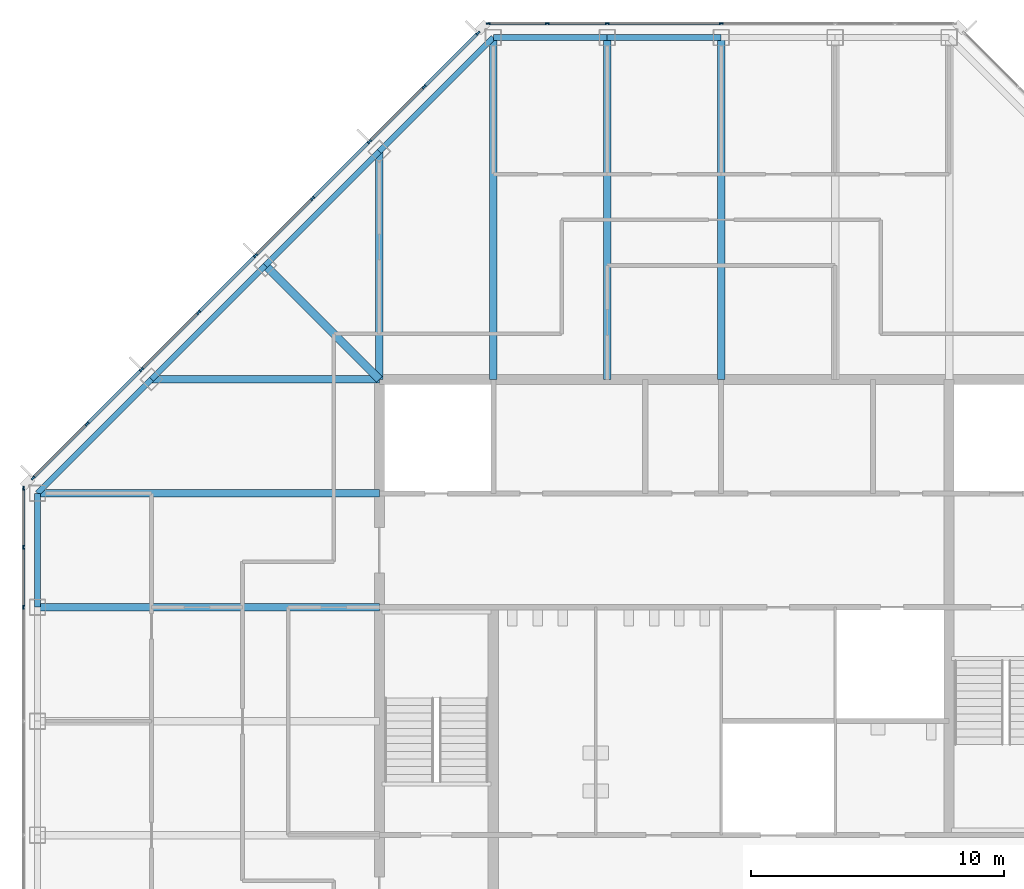
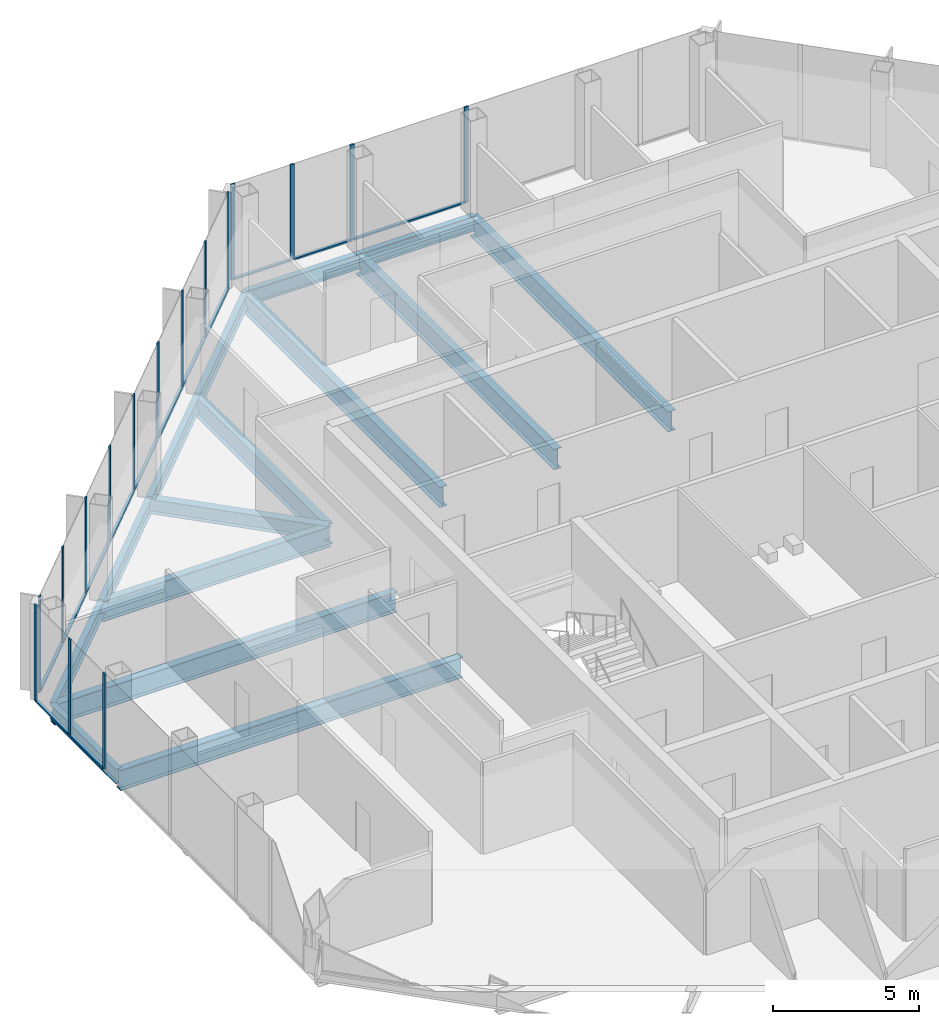
# One storey, part 6 of 14: 29 members, 15 beams, 3 elements without a shape of their own.
"""IFC4 building model written with IfcOpenShell, lengths in metres."""

from ifc_helpers import new_model, si_unit, direction, frame, origin, origin_2d, place, context, subcontext, project, spatial, rectangle, i_section, extrude, material, material_profile, profile_set, type_object, element, aggregate, save


model = new_model("IFC4")

# Units and contexts
model_context = context("Model", 3, precision=1e-05, world=origin(), true_north=direction((0.0, 1.0)))
body_context = subcontext(model_context, "Body", "Model", "MODEL_VIEW")
ifc_project = project(units=[si_unit("LENGTHUNIT", "METRE"), si_unit("AREAUNIT", "SQUARE_METRE"), si_unit("VOLUMEUNIT", "CUBIC_METRE"), si_unit("PLANEANGLEUNIT", "RADIAN"), si_unit("MASSUNIT", "GRAM", prefix="KILO")], contexts=[model_context])

# Site, building, storey
site_placement = place(None, origin())
site = spatial("IfcSite", under=ifc_project, at=site_placement, CompositionType="ELEMENT")
building_placement = place(site_placement, origin())
building = spatial("IfcBuilding", under=site, at=building_placement, Name="Corais Broadcast Tower", CompositionType="ELEMENT")
storey_placement = place(building_placement, frame((0.0, 0.0, 214.60009765625)))
storey = spatial("IfcBuildingStorey", under=building, at=storey_placement, Name="L49", CompositionType="ELEMENT", Elevation=214.60009765625)

# Beams
ifc_material_1 = material(Name="Steel ASTM A572 Grade 50", Category="steel")
ifc_material_profile_1 = material_profile(ifc_material_1, i_section(OverallWidth=0.323974609375, OverallDepth=0.611083984375, WebThickness=0.0126953125, FlangeThickness=0.01904296875, at=origin_2d()), Name="W610x155")
ifc_profile_set_1 = profile_set([ifc_material_profile_1], Name="Steel ASTM A572 Grade 50")
beam_type_1 = type_object("IfcBeamType", Name="Corner diagonal W610x155", PredefinedType="BEAM", material=ifc_profile_set_1)
beam_1_placement = place(storey_placement, frame((9.0, 45.0, -0.465576171875), z_axis=(0.707106781187, -0.707106781187, 0.0), x_axis=(0.707106781187, 0.707106781187, 0.0)))
element("IfcBeam", 1, at=beam_1_placement, inside=storey, type_object=beam_type_1, Name="B6 L/5 to K/6", PredefinedType="BEAM", context=body_context, shape_type="SweptSolid", body=[
    extrude(i_section(OverallWidth=0.323974609375, OverallDepth=0.611083984375, WebThickness=0.0126953125, FlangeThickness=0.01904296875, at=origin_2d()), origin(), (0.0, 0.0, 1.0), 6.364013671875),
])
ifc_material_2 = material(Name="Steel ASTM A572 Grade 50", Category="steel")
ifc_material_profile_2 = material_profile(ifc_material_2, i_section(OverallWidth=0.2939453125, OverallDepth=0.85107421875, WebThickness=0.01611328125, FlangeThickness=0.02685546875, at=origin_2d()), Name="W840x226")
ifc_profile_set_2 = profile_set([ifc_material_profile_2], Name="Steel ASTM A572 Grade 50")
beam_type_2 = type_object("IfcBeamType", Name="Floor beam W840x226", PredefinedType="BEAM", material=ifc_profile_set_2)
for number, where, z_axis, x_axis, name in (
    (2, (0.0, 31.5, -0.585693359375), (1.0, 0.0, 0.0), (0.0, 1.0, 0.0), "B1 H/3 to H/6"),
    (3, (0.0, 36.0, -0.585693359375), (1.0, 0.0, 0.0), (0.0, 1.0, 0.0), "B1 J/3 to J/6"),
):
    element("IfcBeam", number, at=place(storey_placement, frame(where, z_axis=z_axis, x_axis=x_axis)), inside=storey, type_object=beam_type_2, Name=name, PredefinedType="BEAM", context=body_context, shape_type="SweptSolid", body=[
        extrude(i_section(OverallWidth=0.2939453125, OverallDepth=0.85107421875, WebThickness=0.01611328125, FlangeThickness=0.02685546875, at=origin_2d()), origin(), (0.0, 0.0, 1.0), 13.5),
    ])
beam_2_placement = place(storey_placement, frame((13.5, 49.5, -0.585693359375), z_axis=(0.0, -1.0, 0.0), x_axis=(1.0, 0.0, 0.0)))
element("IfcBeam", 4, at=beam_2_placement, inside=storey, type_object=beam_type_2, Name="B1 M/6 to K/6", PredefinedType="BEAM", context=body_context, shape_type="SweptSolid", body=[
    extrude(i_section(OverallWidth=0.2939453125, OverallDepth=0.85107421875, WebThickness=0.01611328125, FlangeThickness=0.02685546875, at=origin_2d()), origin(), (0.0, 0.0, 1.0), 9.0),
])
for number, where, z_axis, x_axis, name in (
    (5, (18.0, 54.0, -0.585693359375), (0.0, -1.0, 0.0), (1.0, 0.0, 0.0), "B1 N/7 to K/7"),
    (6, (22.5, 54.0, -0.585693359375), (0.0, -1.0, 0.0), (1.0, 0.0, 0.0), "B1 N/8 to K/8"),
    (7, (27.0, 54.0, -0.585693359375), (0.0, -1.0, 0.0), (1.0, 0.0, 0.0), "B1 N/9 to K/9"),
):
    element("IfcBeam", number, at=place(storey_placement, frame(where, z_axis=z_axis, x_axis=x_axis)), inside=storey, type_object=beam_type_2, Name=name, PredefinedType="BEAM", context=body_context, shape_type="SweptSolid", body=[
        extrude(i_section(OverallWidth=0.2939453125, OverallDepth=0.85107421875, WebThickness=0.01611328125, FlangeThickness=0.02685546875, at=origin_2d()), origin(), (0.0, 0.0, 1.0), 13.5),
    ])
beam_3_placement = place(storey_placement, frame((4.5, 40.5, -0.585693359375), z_axis=(1.0, 0.0, 0.0), x_axis=(0.0, 1.0, 0.0)))
element("IfcBeam", 8, at=beam_3_placement, inside=storey, type_object=beam_type_2, Name="B1 K/4 to K/6", PredefinedType="BEAM", context=body_context, shape_type="SweptSolid", body=[
    extrude(i_section(OverallWidth=0.2939453125, OverallDepth=0.85107421875, WebThickness=0.01611328125, FlangeThickness=0.02685546875, at=origin_2d()), origin(), (0.0, 0.0, 1.0), 9.0),
])

# Curtain wall, members
ifc_material_3 = material(Name="Aluminium and glass", Category="aluminium")
curtain_wall_type = type_object("IfcCurtainWallType", Name="Unitised fritted curtain wall CW3", PredefinedType="NOTDEFINED", material=ifc_material_3)
curtain_wall_1_placement = place(storey_placement, origin())
curtain_wall_1 = element("IfcCurtainWall", 9, at=curtain_wall_1_placement, inside=storey, type_object=curtain_wall_type, Name="CW3 curtain wall L49 2", PredefinedType="NOTDEFINED")
ifc_material_4 = material(Name="Aluminium 6063-T6", Category="aluminium")
ifc_material_profile_3 = material_profile(ifc_material_4, rectangle(XDim=0.06494140625, YDim=0.159912109375, at=origin_2d()), Name="Mullion CW3 65x160")
ifc_profile_set_3 = profile_set([ifc_material_profile_3], Name="Aluminium 6063-T6")
member_type_1 = type_object("IfcMemberType", Name="Mullion CW3 65x160", PredefinedType="MULLION", material=ifc_profile_set_3)
member_1_placement = place(storey_placement, frame((-0.550048828125, 31.5, 0.0), z_axis=(0.0, 0.0, 1.0), x_axis=(-1.0, 0.0, 0.0)))
member_1 = element("IfcMember", 10, at=member_1_placement, type_object=member_type_1, Name="CW3 mullion 5", PredefinedType="MULLION", context=body_context, shape_type="SweptSolid", body=[
    extrude(rectangle(XDim=0.06494140625, YDim=0.159912109375, at=origin_2d()), origin(), (0.0, 0.0, 1.0), 4.0),
])
member_2_placement = place(storey_placement, frame((-0.550048828125, 33.864013671875, 0.0), z_axis=(0.0, 0.0, 1.0), x_axis=(-1.0, 0.0, 0.0)))
member_2 = element("IfcMember", 11, at=member_2_placement, type_object=member_type_1, Name="CW3 mullion 6", PredefinedType="MULLION", context=body_context, shape_type="SweptSolid", body=[
    extrude(rectangle(XDim=0.06494140625, YDim=0.159912109375, at=origin_2d()), origin(), (0.0, 0.0, 1.0), 4.0),
])
member_3_placement = place(storey_placement, frame((-0.550048828125, 36.1953125, 0.0), z_axis=(0.0, 0.0, 1.0), x_axis=(-1.0, 0.0, 0.0)))
member_3 = element("IfcMember", 12, at=member_3_placement, type_object=member_type_1, Name="CW3 mullion 7", PredefinedType="MULLION", context=body_context, shape_type="SweptSolid", body=[
    extrude(rectangle(XDim=0.06494140625, YDim=0.159912109375, at=origin_2d()), origin(), (0.0, 0.0, 1.0), 4.0),
])

curtain_wall_2_placement = place(storey_placement, origin())
curtain_wall_2 = element("IfcCurtainWall", 13, at=curtain_wall_2_placement, inside=storey, type_object=curtain_wall_type, Name="CW3 curtain wall L49 3", PredefinedType="NOTDEFINED")
member_4_placement = place(storey_placement, frame((-0.17333984375, 36.6044921875, 0.0), z_axis=(0.0, 0.0, 1.0), x_axis=(-0.707106781187, 0.707106781187, 0.0)))
member_4 = element("IfcMember", 14, at=member_4_placement, type_object=member_type_1, Name="CW3 mullion 1", PredefinedType="MULLION", context=body_context, shape_type="SweptSolid", body=[
    extrude(rectangle(XDim=0.06494140625, YDim=0.159912109375, at=origin_2d()), origin(), (0.0, 0.0, 1.0), 4.0),
])
member_5_placement = place(storey_placement, frame((1.957275390625, 38.735107421875, 0.0), z_axis=(0.0, 0.0, 1.0), x_axis=(-0.707106781187, 0.707106781187, 0.0)))
member_5 = element("IfcMember", 15, at=member_5_placement, type_object=member_type_1, Name="CW3 mullion 2", PredefinedType="MULLION", context=body_context, shape_type="SweptSolid", body=[
    extrude(rectangle(XDim=0.06494140625, YDim=0.159912109375, at=origin_2d()), origin(), (0.0, 0.0, 1.0), 4.0),
])
member_6_placement = place(storey_placement, frame((4.111083984375, 40.888916015625, 0.0), z_axis=(0.0, 0.0, 1.0), x_axis=(-0.707106781187, 0.707106781187, 0.0)))
member_6 = element("IfcMember", 16, at=member_6_placement, type_object=member_type_1, Name="CW3 mullion 3", PredefinedType="MULLION", context=body_context, shape_type="SweptSolid", body=[
    extrude(rectangle(XDim=0.06494140625, YDim=0.159912109375, at=origin_2d()), origin(), (0.0, 0.0, 1.0), 4.0),
])
member_7_placement = place(storey_placement, frame((6.361083984375, 43.138916015625, 0.0), z_axis=(0.0, 0.0, 1.0), x_axis=(-0.707106781187, 0.707106781187, 0.0)))
member_7 = element("IfcMember", 17, at=member_7_placement, type_object=member_type_1, Name="CW3 mullion 4", PredefinedType="MULLION", context=body_context, shape_type="SweptSolid", body=[
    extrude(rectangle(XDim=0.06494140625, YDim=0.159912109375, at=origin_2d()), origin(), (0.0, 0.0, 1.0), 4.0),
])
member_8_placement = place(storey_placement, frame((8.611083984375, 45.388916015625, 0.0), z_axis=(0.0, 0.0, 1.0), x_axis=(-0.707106781187, 0.707106781187, 0.0)))
member_8 = element("IfcMember", 18, at=member_8_placement, type_object=member_type_1, Name="CW3 mullion 5", PredefinedType="MULLION", context=body_context, shape_type="SweptSolid", body=[
    extrude(rectangle(XDim=0.06494140625, YDim=0.159912109375, at=origin_2d()), origin(), (0.0, 0.0, 1.0), 4.0),
])
member_9_placement = place(storey_placement, frame((10.861083984375, 47.638916015625, 0.0), z_axis=(0.0, 0.0, 1.0), x_axis=(-0.707106781187, 0.707106781187, 0.0)))
member_9 = element("IfcMember", 19, at=member_9_placement, type_object=member_type_1, Name="CW3 mullion 6", PredefinedType="MULLION", context=body_context, shape_type="SweptSolid", body=[
    extrude(rectangle(XDim=0.06494140625, YDim=0.159912109375, at=origin_2d()), origin(), (0.0, 0.0, 1.0), 4.0),
])
member_10_placement = place(storey_placement, frame((13.111083984375, 49.888916015625, 0.0), z_axis=(0.0, 0.0, 1.0), x_axis=(-0.707106781187, 0.707106781187, 0.0)))
member_10 = element("IfcMember", 20, at=member_10_placement, type_object=member_type_1, Name="CW3 mullion 7", PredefinedType="MULLION", context=body_context, shape_type="SweptSolid", body=[
    extrude(rectangle(XDim=0.06494140625, YDim=0.159912109375, at=origin_2d()), origin(), (0.0, 0.0, 1.0), 4.0),
])
member_11_placement = place(storey_placement, frame((15.264892578125, 52.042724609375, 0.0), z_axis=(0.0, 0.0, 1.0), x_axis=(-0.707106781187, 0.707106781187, 0.0)))
member_11 = element("IfcMember", 21, at=member_11_placement, type_object=member_type_1, Name="CW3 mullion 8", PredefinedType="MULLION", context=body_context, shape_type="SweptSolid", body=[
    extrude(rectangle(XDim=0.06494140625, YDim=0.159912109375, at=origin_2d()), origin(), (0.0, 0.0, 1.0), 4.0),
])
member_12_placement = place(storey_placement, frame((17.3955078125, 54.17333984375, 0.0), z_axis=(0.0, 0.0, 1.0), x_axis=(-0.707106781187, 0.707106781187, 0.0)))
member_12 = element("IfcMember", 22, at=member_12_placement, type_object=member_type_1, Name="CW3 mullion 9", PredefinedType="MULLION", context=body_context, shape_type="SweptSolid", body=[
    extrude(rectangle(XDim=0.06494140625, YDim=0.159912109375, at=origin_2d()), origin(), (0.0, 0.0, 1.0), 4.0),
])

curtain_wall_3_placement = place(storey_placement, origin())
curtain_wall_3 = element("IfcCurtainWall", 23, at=curtain_wall_3_placement, inside=storey, type_object=curtain_wall_type, Name="CW3 curtain wall L49 4", PredefinedType="NOTDEFINED")
member_13_placement = place(storey_placement, frame((17.8046875, 54.550048828125, 0.0), z_axis=(0.0, 0.0, 1.0), x_axis=(0.0, 1.0, 0.0)))
member_13 = element("IfcMember", 24, at=member_13_placement, type_object=member_type_1, Name="CW3 mullion 1", PredefinedType="MULLION", context=body_context, shape_type="SweptSolid", body=[
    extrude(rectangle(XDim=0.06494140625, YDim=0.159912109375, at=origin_2d()), origin(), (0.0, 0.0, 1.0), 4.0),
])
member_14_placement = place(storey_placement, frame((20.135986328125, 54.550048828125, 0.0), z_axis=(0.0, 0.0, 1.0), x_axis=(0.0, 1.0, 0.0)))
member_14 = element("IfcMember", 25, at=member_14_placement, type_object=member_type_1, Name="CW3 mullion 2", PredefinedType="MULLION", context=body_context, shape_type="SweptSolid", body=[
    extrude(rectangle(XDim=0.06494140625, YDim=0.159912109375, at=origin_2d()), origin(), (0.0, 0.0, 1.0), 4.0),
])
member_15_placement = place(storey_placement, frame((22.5, 54.550048828125, 0.0), z_axis=(0.0, 0.0, 1.0), x_axis=(0.0, 1.0, 0.0)))
member_15 = element("IfcMember", 26, at=member_15_placement, type_object=member_type_1, Name="CW3 mullion 3", PredefinedType="MULLION", context=body_context, shape_type="SweptSolid", body=[
    extrude(rectangle(XDim=0.06494140625, YDim=0.159912109375, at=origin_2d()), origin(), (0.0, 0.0, 1.0), 4.0),
])
member_16_placement = place(storey_placement, frame((27.0, 54.550048828125, 0.0), z_axis=(0.0, 0.0, 1.0), x_axis=(0.0, 1.0, 0.0)))
member_16 = element("IfcMember", 27, at=member_16_placement, type_object=member_type_1, Name="CW3 mullion 4", PredefinedType="MULLION", context=body_context, shape_type="SweptSolid", body=[
    extrude(rectangle(XDim=0.06494140625, YDim=0.159912109375, at=origin_2d()), origin(), (0.0, 0.0, 1.0), 4.0),
])

# Beams
ifc_material_5 = material(Name="Steel ASTM A572 Grade 50", Category="steel")
ifc_material_profile_4 = material_profile(ifc_material_5, i_section(OverallWidth=0.22998046875, OverallDepth=0.616943359375, WebThickness=0.01318359375, FlangeThickness=0.022216796875, at=origin_2d()), Name="W610x140")
ifc_profile_set_4 = profile_set([ifc_material_profile_4], Name="Steel ASTM A572 Grade 50")
beam_type_3 = type_object("IfcBeamType", Name="Spandrel W610x140", PredefinedType="BEAM", material=ifc_profile_set_4)
beam_4_placement = place(storey_placement, frame((0.0, 36.0, -0.468505859375), z_axis=(0.0, -1.0, 0.0), x_axis=(1.0, 0.0, 0.0)))
element("IfcBeam", 28, at=beam_4_placement, inside=storey, type_object=beam_type_3, Name="SB3 J/3 to H/3", PredefinedType="BEAM", context=body_context, shape_type="SweptSolid", body=[
    extrude(i_section(OverallWidth=0.22998046875, OverallDepth=0.616943359375, WebThickness=0.01318359375, FlangeThickness=0.022216796875, at=origin_2d()), origin(), (0.0, 0.0, 1.0), 4.5),
])
for number, where, z_axis, x_axis, name in (
    (29, (13.5, 49.5, -0.468505859375), (-0.707106781187, -0.707106781187, 0.0), (0.707106781187, -0.707106781187, 0.0), "SB3 M/6 to L/5"),
    (30, (18.0, 54.0, -0.468505859375), (-0.707106781187, -0.707106781187, 0.0), (0.707106781187, -0.707106781187, 0.0), "SB3 N/7 to M/6"),
):
    element("IfcBeam", number, at=place(storey_placement, frame(where, z_axis=z_axis, x_axis=x_axis)), inside=storey, type_object=beam_type_3, Name=name, PredefinedType="BEAM", context=body_context, shape_type="SweptSolid", body=[
        extrude(i_section(OverallWidth=0.22998046875, OverallDepth=0.616943359375, WebThickness=0.01318359375, FlangeThickness=0.022216796875, at=origin_2d()), origin(), (0.0, 0.0, 1.0), 6.364013671875),
    ])
for number, where, z_axis, x_axis, name in (
    (31, (22.5, 54.0, -0.468505859375), (-1.0, 0.0, 0.0), (0.0, -1.0, 0.0), "SB3 N/8 to N/7"),
    (32, (27.0, 54.0, -0.468505859375), (-1.0, 0.0, 0.0), (0.0, -1.0, 0.0), "SB3 N/9 to N/8"),
):
    element("IfcBeam", number, at=place(storey_placement, frame(where, z_axis=z_axis, x_axis=x_axis)), inside=storey, type_object=beam_type_3, Name=name, PredefinedType="BEAM", context=body_context, shape_type="SweptSolid", body=[
        extrude(i_section(OverallWidth=0.22998046875, OverallDepth=0.616943359375, WebThickness=0.01318359375, FlangeThickness=0.022216796875, at=origin_2d()), origin(), (0.0, 0.0, 1.0), 4.5),
    ])
for number, where, z_axis, x_axis, name in (
    (33, (4.5, 40.5, -0.468505859375), (-0.707106781187, -0.707106781187, 0.0), (0.707106781187, -0.707106781187, 0.0), "SB3 K/4 to J/3"),
    (34, (9.0, 45.0, -0.468505859375), (-0.707106781187, -0.707106781187, 0.0), (0.707106781187, -0.707106781187, 0.0), "SB3 L/5 to K/4"),
):
    element("IfcBeam", number, at=place(storey_placement, frame(where, z_axis=z_axis, x_axis=x_axis)), inside=storey, type_object=beam_type_3, Name=name, PredefinedType="BEAM", context=body_context, shape_type="SweptSolid", body=[
        extrude(i_section(OverallWidth=0.22998046875, OverallDepth=0.616943359375, WebThickness=0.01318359375, FlangeThickness=0.022216796875, at=origin_2d()), origin(), (0.0, 0.0, 1.0), 6.364013671875),
    ])

# Member
ifc_material_6 = material(Name="Aluminium 6063-T6", Category="aluminium")
ifc_material_profile_5 = material_profile(ifc_material_6, rectangle(XDim=0.1201171875, YDim=0.06494140625, at=origin_2d()), Name="Transom CW3 65x120")
ifc_profile_set_5 = profile_set([ifc_material_profile_5], Name="Aluminium 6063-T6")
member_type_2 = type_object("IfcMemberType", Name="Transom CW3 65x120", PredefinedType="USERDEFINED", material=ifc_profile_set_5)
member_17_placement = place(storey_placement, frame((-0.550048828125, 31.532470703125, 0.032470703125), z_axis=(0.0, 1.0, 0.0), x_axis=(-1.0, 0.0, 0.0)))
member_17 = element("IfcMember", 35, at=member_17_placement, type_object=member_type_2, Name="CW3 transom 5.1", ObjectType="TRANSOM", PredefinedType="USERDEFINED", context=body_context, shape_type="SweptSolid", body=[
    extrude(rectangle(XDim=0.1201171875, YDim=0.06494140625, at=origin_2d()), origin(), (0.0, 0.0, 1.0), 2.298828125),
])

member_18_placement = place(storey_placement, frame((-0.550048828125, 33.896484375, 0.032470703125), z_axis=(0.0, 1.0, 0.0), x_axis=(-1.0, 0.0, 0.0)))
member_18 = element("IfcMember", 36, at=member_18_placement, type_object=member_type_2, Name="CW3 transom 6.1", ObjectType="TRANSOM", PredefinedType="USERDEFINED", context=body_context, shape_type="SweptSolid", body=[
    extrude(rectangle(XDim=0.1201171875, YDim=0.06494140625, at=origin_2d()), origin(), (0.0, 0.0, 1.0), 2.266357421875),
])

aggregate(curtain_wall_1, [member_1, member_2, member_3, member_17, member_18])

member_19_placement = place(storey_placement, frame((-0.150390625, 36.62744140625, 0.032470703125), z_axis=(0.707106781187, 0.707106781187, 0.0), x_axis=(-0.707106781187, 0.707106781187, 0.0)))
member_19 = element("IfcMember", 37, at=member_19_placement, type_object=member_type_2, Name="CW3 transom 1.1", ObjectType="TRANSOM", PredefinedType="USERDEFINED", context=body_context, shape_type="SweptSolid", body=[
    extrude(rectangle(XDim=0.1201171875, YDim=0.06494140625, at=origin_2d()), origin(), (0.0, 0.0, 1.0), 2.9482421875),
])

member_20_placement = place(storey_placement, frame((1.980224609375, 38.758056640625, 0.032470703125), z_axis=(0.707106781187, 0.707106781187, 0.0), x_axis=(-0.707106781187, 0.707106781187, 0.0)))
member_20 = element("IfcMember", 38, at=member_20_placement, type_object=member_type_2, Name="CW3 transom 2.1", ObjectType="TRANSOM", PredefinedType="USERDEFINED", context=body_context, shape_type="SweptSolid", body=[
    extrude(rectangle(XDim=0.1201171875, YDim=0.06494140625, at=origin_2d()), origin(), (0.0, 0.0, 1.0), 2.98095703125),
])

member_21_placement = place(storey_placement, frame((4.134033203125, 40.911865234375, 0.032470703125), z_axis=(0.707106781187, 0.707106781187, 0.0), x_axis=(-0.707106781187, 0.707106781187, 0.0)))
member_21 = element("IfcMember", 39, at=member_21_placement, type_object=member_type_2, Name="CW3 transom 3.1", ObjectType="TRANSOM", PredefinedType="USERDEFINED", context=body_context, shape_type="SweptSolid", body=[
    extrude(rectangle(XDim=0.1201171875, YDim=0.06494140625, at=origin_2d()), origin(), (0.0, 0.0, 1.0), 3.1171875),
])

member_22_placement = place(storey_placement, frame((6.384033203125, 43.161865234375, 0.032470703125), z_axis=(0.707106781187, 0.707106781187, 0.0), x_axis=(-0.707106781187, 0.707106781187, 0.0)))
member_22 = element("IfcMember", 40, at=member_22_placement, type_object=member_type_2, Name="CW3 transom 4.1", ObjectType="TRANSOM", PredefinedType="USERDEFINED", context=body_context, shape_type="SweptSolid", body=[
    extrude(rectangle(XDim=0.1201171875, YDim=0.06494140625, at=origin_2d()), origin(), (0.0, 0.0, 1.0), 3.1171875),
])

member_23_placement = place(storey_placement, frame((8.634033203125, 45.411865234375, 0.032470703125), z_axis=(0.707106781187, 0.707106781187, 0.0), x_axis=(-0.707106781187, 0.707106781187, 0.0)))
member_23 = element("IfcMember", 41, at=member_23_placement, type_object=member_type_2, Name="CW3 transom 5.1", ObjectType="TRANSOM", PredefinedType="USERDEFINED", context=body_context, shape_type="SweptSolid", body=[
    extrude(rectangle(XDim=0.1201171875, YDim=0.06494140625, at=origin_2d()), origin(), (0.0, 0.0, 1.0), 3.1171875),
])

member_24_placement = place(storey_placement, frame((10.884033203125, 47.661865234375, 0.032470703125), z_axis=(0.707106781187, 0.707106781187, 0.0), x_axis=(-0.707106781187, 0.707106781187, 0.0)))
member_24 = element("IfcMember", 42, at=member_24_placement, type_object=member_type_2, Name="CW3 transom 6.1", ObjectType="TRANSOM", PredefinedType="USERDEFINED", context=body_context, shape_type="SweptSolid", body=[
    extrude(rectangle(XDim=0.1201171875, YDim=0.06494140625, at=origin_2d()), origin(), (0.0, 0.0, 1.0), 3.1171875),
])

member_25_placement = place(storey_placement, frame((13.134033203125, 49.911865234375, 0.032470703125), z_axis=(0.70714773134, 0.707065828661, 0.0), x_axis=(-0.707065828661, 0.70714773134, 0.0)))
member_25 = element("IfcMember", 43, at=member_25_placement, type_object=member_type_2, Name="CW3 transom 7.1", ObjectType="TRANSOM", PredefinedType="USERDEFINED", context=body_context, shape_type="SweptSolid", body=[
    extrude(rectangle(XDim=0.1201171875, YDim=0.06494140625, at=origin_2d()), origin(), (0.0, 0.0, 1.0), 2.98095703125),
])

member_26_placement = place(storey_placement, frame((15.287841796875, 52.065673828125, 0.032470703125), z_axis=(0.707106781187, 0.707106781187, 0.0), x_axis=(-0.707106781187, 0.707106781187, 0.0)))
member_26 = element("IfcMember", 44, at=member_26_placement, type_object=member_type_2, Name="CW3 transom 8.1", ObjectType="TRANSOM", PredefinedType="USERDEFINED", context=body_context, shape_type="SweptSolid", body=[
    extrude(rectangle(XDim=0.1201171875, YDim=0.06494140625, at=origin_2d()), origin(), (0.0, 0.0, 1.0), 2.9482421875),
])

aggregate(curtain_wall_2, [member_4, member_5, member_6, member_7, member_8, member_9, member_10, member_11, member_12, member_19, member_20, member_21, member_22, member_23, member_24, member_25, member_26])

member_27_placement = place(storey_placement, frame((17.837158203125, 54.550048828125, 0.032470703125), z_axis=(1.0, 0.0, 0.0), x_axis=(0.0, 1.0, 0.0)))
member_27 = element("IfcMember", 45, at=member_27_placement, type_object=member_type_2, Name="CW3 transom 1.1", ObjectType="TRANSOM", PredefinedType="USERDEFINED", context=body_context, shape_type="SweptSolid", body=[
    extrude(rectangle(XDim=0.1201171875, YDim=0.06494140625, at=origin_2d()), origin(), (0.0, 0.0, 1.0), 2.266357421875),
])

member_28_placement = place(storey_placement, frame((20.168701171875, 54.550048828125, 0.032470703125), z_axis=(1.0, 0.0, 0.0), x_axis=(0.0, 1.0, 0.0)))
member_28 = element("IfcMember", 46, at=member_28_placement, type_object=member_type_2, Name="CW3 transom 2.1", ObjectType="TRANSOM", PredefinedType="USERDEFINED", context=body_context, shape_type="SweptSolid", body=[
    extrude(rectangle(XDim=0.1201171875, YDim=0.06494140625, at=origin_2d()), origin(), (0.0, 0.0, 1.0), 2.298828125),
])

member_29_placement = place(storey_placement, frame((22.532470703125, 54.550048828125, 0.032470703125), z_axis=(1.0, 0.0, 0.0), x_axis=(0.0, 1.0, 0.0)))
member_29 = element("IfcMember", 47, at=member_29_placement, type_object=member_type_2, Name="CW3 transom 3.1", ObjectType="TRANSOM", PredefinedType="USERDEFINED", context=body_context, shape_type="SweptSolid", body=[
    extrude(rectangle(XDim=0.1201171875, YDim=0.06494140625, at=origin_2d()), origin(), (0.0, 0.0, 1.0), 4.43505859375),
])

aggregate(curtain_wall_3, [member_13, member_14, member_15, member_16, member_27, member_28, member_29])

save(model, "model.ifc")
